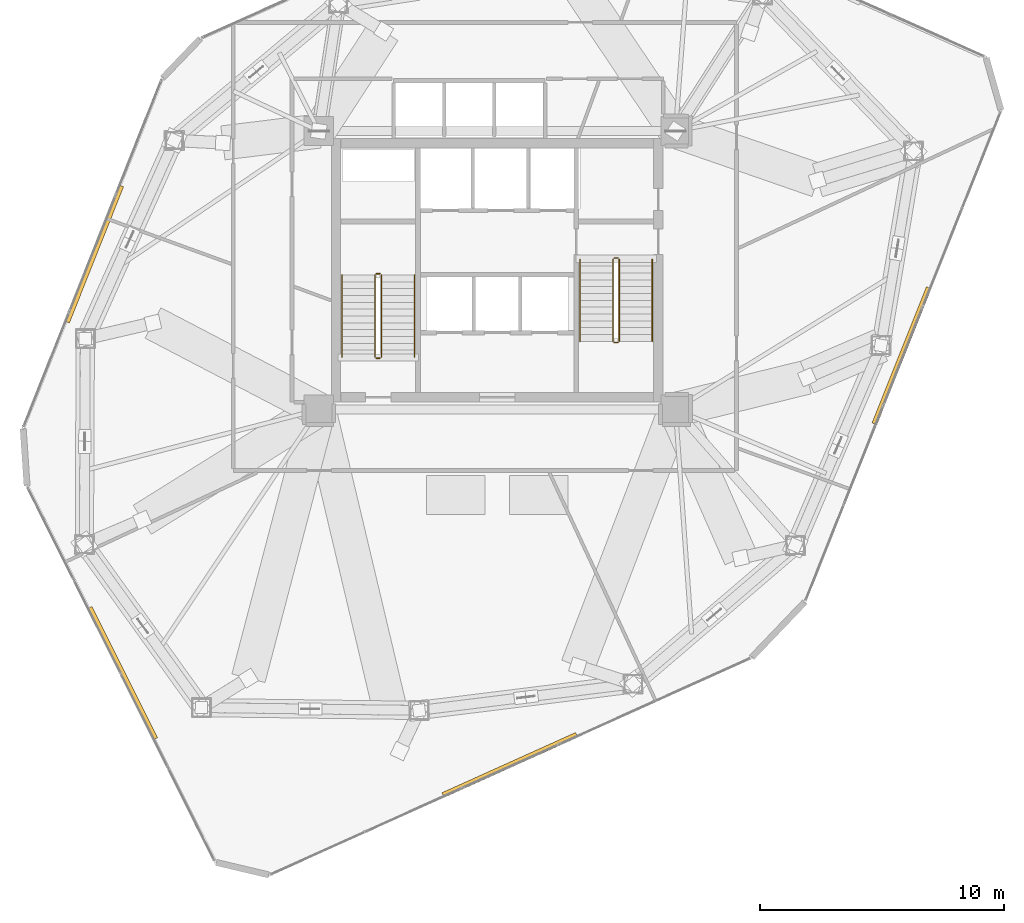
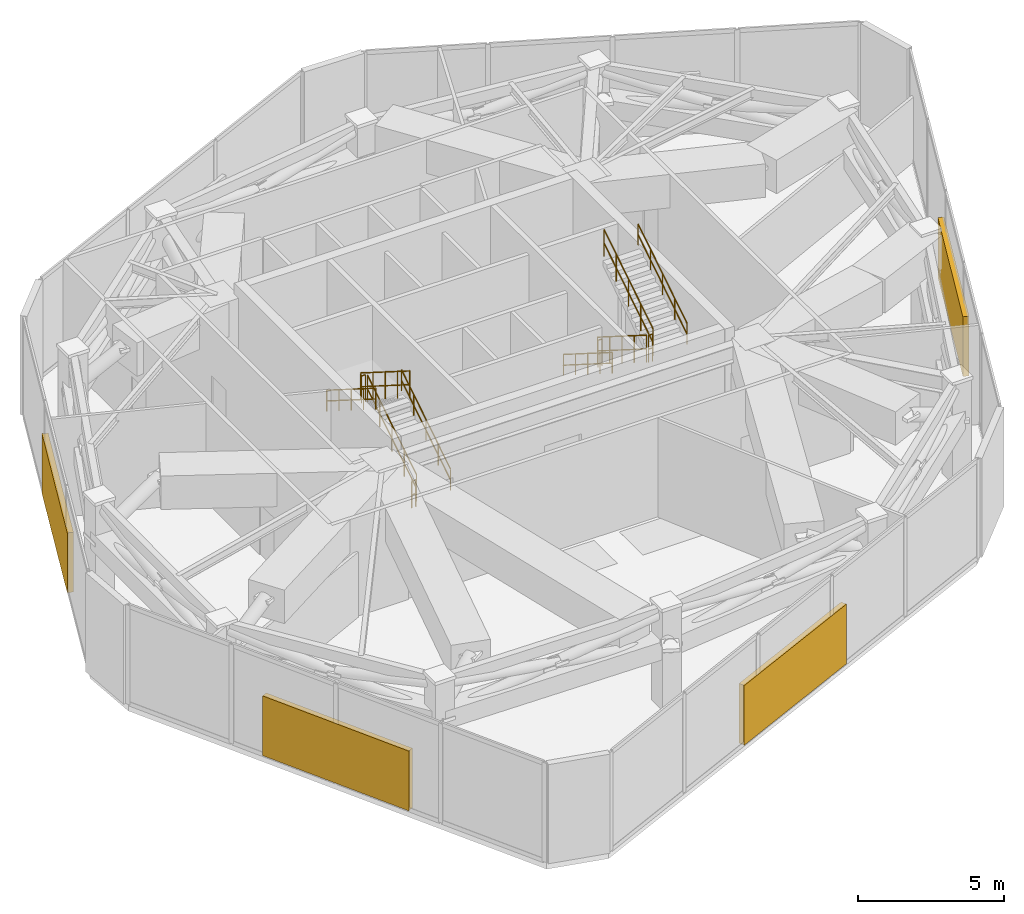
# One storey, part 20 of 21: 12 railings, 4 shading devices.
"""IFC4 building model written with IfcOpenShell, lengths in metres."""

from ifc_helpers import new_model, si_unit, direction, frame, origin, origin_2d, place, context, subcontext, project, spatial, rectangle, circle, extrude, source, transform, mapped, material, type_object, type_shapes, element, save


model = new_model("IFC4")

# Units and contexts
model_context = context("Model", 3, precision=1e-05, world=origin(), true_north=direction((0.0, 1.0)))
body_context = subcontext(model_context, "Body", "Model", "MODEL_VIEW")
ifc_project = project(units=[si_unit("LENGTHUNIT", "METRE"), si_unit("AREAUNIT", "SQUARE_METRE"), si_unit("VOLUMEUNIT", "CUBIC_METRE"), si_unit("PLANEANGLEUNIT", "RADIAN"), si_unit("MASSUNIT", "GRAM", prefix="KILO")], contexts=[model_context])

# Site, building, storey
site_placement = place(None, origin())
site = spatial("IfcSite", under=ifc_project, at=site_placement, CompositionType="ELEMENT")
building_placement = place(site_placement, origin())
building = spatial("IfcBuilding", under=site, at=building_placement, Name="Talar Marvaseh", CompositionType="ELEMENT")
storey_placement = place(building_placement, frame((0.0, 0.0, 162.39990234375)))
storey = spatial("IfcBuildingStorey", under=building, at=storey_placement, Name="L42", CompositionType="ELEMENT", Elevation=162.39990234375)

# Railings
ifc_material_1 = material(Name="Stainless Steel Grade 316", Category="steel")
railing_type_1 = type_object("IfcRailingType", Name="Brushed Stainless Wall Pitch Handrail 900", PredefinedType="HANDRAIL", material=ifc_material_1)
railing_1_placement = place(storey_placement, frame((22.610107421875, 27.64990234375, 0.177001953125)))
element("IfcRailing", 1, at=railing_1_placement, inside=storey, type_object=railing_type_1, Name="L42 ST-1 stair handrail 1", PredefinedType="HANDRAIL", context=body_context, shape_type="SweptSolid", body=[
    extrude(circle(Radius=0.02392578125, at=origin_2d()), frame((0.0, 0.0, 0.8759765625), z_axis=(0.0, 0.845389635667, 0.534150132366), x_axis=(-1.0, 0.0, 0.0)), (0.0, 0.0, 1.0), 3.974609375),
    extrude(circle(Radius=0.02392578125, at=origin_2d()), frame((0.0, 0.0, 0.42578125), z_axis=(0.0, 0.845389635667, 0.534150132366), x_axis=(-1.0, 0.0, 0.0)), (0.0, 0.0, 1.0), 3.974609375),
    extrude(circle(Radius=0.02099609375, at=origin_2d()), origin(), (0.0, 0.0, 1.0), 0.851806640625),
    extrude(circle(Radius=0.02099609375, at=origin_2d()), frame((0.0, 0.840087890625, 0.53076171875)), (0.0, 0.0, 1.0), 0.851806640625),
    extrude(circle(Radius=0.02099609375, at=origin_2d()), frame((0.0, 1.68017578125, 1.0615234375)), (0.0, 0.0, 1.0), 0.851806640625),
    extrude(circle(Radius=0.02099609375, at=origin_2d()), frame((0.0, 2.52001953125, 1.59228515625)), (0.0, 0.0, 1.0), 0.851806640625),
    extrude(circle(Radius=0.02099609375, at=origin_2d()), frame((0.0, 3.360107421875, 2.123046875)), (0.0, 0.0, 1.0), 0.851806640625),
])
railing_2_placement = place(storey_placement, frame((19.64990234375, 31.010009765625, 2.47705078125)))
element("IfcRailing", 2, at=railing_2_placement, inside=storey, type_object=railing_type_1, Name="L42 ST-1 stair handrail 2", PredefinedType="HANDRAIL", context=body_context, shape_type="SweptSolid", body=[
    extrude(circle(Radius=0.02392578125, at=origin_2d()), frame((0.0, 0.0, 0.8759765625), z_axis=(0.0, -0.845389635667, 0.534150132366), x_axis=(1.0, 0.0, 0.0)), (0.0, 0.0, 1.0), 3.974609375),
    extrude(circle(Radius=0.02392578125, at=origin_2d()), frame((0.0, 0.0, 0.42578125), z_axis=(0.0, -0.845389635667, 0.534150132366), x_axis=(1.0, 0.0, 0.0)), (0.0, 0.0, 1.0), 3.974609375),
    extrude(circle(Radius=0.02099609375, at=origin_2d()), origin(), (0.0, 0.0, 1.0), 0.851806640625),
    extrude(circle(Radius=0.02099609375, at=origin_2d()), frame((0.0, -0.840087890625, 0.53076171875)), (0.0, 0.0, 1.0), 0.851806640625),
    extrude(circle(Radius=0.02099609375, at=origin_2d()), frame((0.0, -1.68017578125, 1.0615234375)), (0.0, 0.0, 1.0), 0.851806640625),
    extrude(circle(Radius=0.02099609375, at=origin_2d()), frame((0.0, -2.52001953125, 1.59228515625)), (0.0, 0.0, 1.0), 0.851806640625),
    extrude(circle(Radius=0.02099609375, at=origin_2d()), frame((0.0, -3.360107421875, 2.123046875)), (0.0, 0.0, 1.0), 0.851806640625),
])
railing_3_placement = place(storey_placement, frame((29.389892578125, 31.64990234375, 0.177001953125)))
element("IfcRailing", 3, at=railing_3_placement, inside=storey, type_object=railing_type_1, Name="L42 ST-2 stair handrail 1", PredefinedType="HANDRAIL", context=body_context, shape_type="SweptSolid", body=[
    extrude(circle(Radius=0.02392578125, at=origin_2d()), frame((0.0, 0.0, 0.8759765625), z_axis=(0.0, -0.845372108799, 0.534177870812), x_axis=(1.0, 0.0, 0.0)), (0.0, 0.0, 1.0), 3.974365234375),
    extrude(circle(Radius=0.02392578125, at=origin_2d()), frame((0.0, 0.0, 0.42578125), z_axis=(0.0, -0.845372108799, 0.534177870812), x_axis=(1.0, 0.0, 0.0)), (0.0, 0.0, 1.0), 3.974365234375),
    extrude(circle(Radius=0.02099609375, at=origin_2d()), origin(), (0.0, 0.0, 1.0), 0.851806640625),
    extrude(circle(Radius=0.02099609375, at=origin_2d()), frame((0.0, -0.83984375, 0.53076171875)), (0.0, 0.0, 1.0), 0.851806640625),
    extrude(circle(Radius=0.02099609375, at=origin_2d()), frame((0.0, -1.679931640625, 1.0615234375)), (0.0, 0.0, 1.0), 0.851806640625),
    extrude(circle(Radius=0.02099609375, at=origin_2d()), frame((0.0, -2.52001953125, 1.59228515625)), (0.0, 0.0, 1.0), 0.851806640625),
    extrude(circle(Radius=0.02099609375, at=origin_2d()), frame((0.0, -3.35986328125, 2.123046875)), (0.0, 0.0, 1.0), 0.851806640625),
])
railing_4_placement = place(storey_placement, frame((32.35009765625, 28.2900390625, 2.47705078125)))
element("IfcRailing", 4, at=railing_4_placement, inside=storey, type_object=railing_type_1, Name="L42 ST-2 stair handrail 2", PredefinedType="HANDRAIL", context=body_context, shape_type="SweptSolid", body=[
    extrude(circle(Radius=0.02392578125, at=origin_2d()), frame((0.0, 0.0, 0.8759765625), z_axis=(0.0, 0.845372108799, 0.534177870812), x_axis=(-1.0, 0.0, 0.0)), (0.0, 0.0, 1.0), 3.974365234375),
    extrude(circle(Radius=0.02392578125, at=origin_2d()), frame((0.0, 0.0, 0.42578125), z_axis=(0.0, 0.845372108799, 0.534177870812), x_axis=(-1.0, 0.0, 0.0)), (0.0, 0.0, 1.0), 3.974365234375),
    extrude(circle(Radius=0.02099609375, at=origin_2d()), origin(), (0.0, 0.0, 1.0), 0.851806640625),
    extrude(circle(Radius=0.02099609375, at=origin_2d()), frame((0.0, 0.83984375, 0.53076171875)), (0.0, 0.0, 1.0), 0.851806640625),
    extrude(circle(Radius=0.02099609375, at=origin_2d()), frame((0.0, 1.679931640625, 1.0615234375)), (0.0, 0.0, 1.0), 0.851806640625),
    extrude(circle(Radius=0.02099609375, at=origin_2d()), frame((0.0, 2.52001953125, 1.59228515625)), (0.0, 0.0, 1.0), 0.851806640625),
    extrude(circle(Radius=0.02099609375, at=origin_2d()), frame((0.0, 3.35986328125, 2.123046875)), (0.0, 0.0, 1.0), 0.851806640625),
])
railing_type_2 = type_object("IfcRailingType", Name="Painted Steel Core Stair Well Guardrail 1150", PredefinedType="GUARDRAIL", material=ifc_material_1)
railing_5_placement = place(storey_placement, frame((21.260009765625, 27.64990234375, 0.177001953125)))
element("IfcRailing", 5, at=railing_5_placement, inside=storey, type_object=railing_type_2, Name="L42 ST-1 stair guard 1", PredefinedType="GUARDRAIL", context=body_context, shape_type="SweptSolid", body=[
    extrude(circle(Radius=0.02392578125, at=origin_2d()), frame((0.0, 0.0, 1.1259765625), z_axis=(0.0, 0.845389635667, 0.534150132366), x_axis=(-1.0, 0.0, 0.0)), (0.0, 0.0, 1.0), 3.974609375),
    extrude(circle(Radius=0.02392578125, at=origin_2d()), frame((0.0, 0.0, 0.55078125), z_axis=(0.0, 0.845389635667, 0.534150132366), x_axis=(-1.0, 0.0, 0.0)), (0.0, 0.0, 1.0), 3.974609375),
    extrude(circle(Radius=0.02099609375, at=origin_2d()), origin(), (0.0, 0.0, 1.0), 1.101806640625),
    extrude(circle(Radius=0.02099609375, at=origin_2d()), frame((0.0, 0.840087890625, 0.53076171875)), (0.0, 0.0, 1.0), 1.101806640625),
    extrude(circle(Radius=0.02099609375, at=origin_2d()), frame((0.0, 1.68017578125, 1.0615234375)), (0.0, 0.0, 1.0), 1.101806640625),
    extrude(circle(Radius=0.02099609375, at=origin_2d()), frame((0.0, 2.52001953125, 1.59228515625)), (0.0, 0.0, 1.0), 1.101806640625),
    extrude(circle(Radius=0.02099609375, at=origin_2d()), frame((0.0, 3.360107421875, 2.123046875)), (0.0, 0.0, 1.0), 1.101806640625),
])
railing_6_placement = place(storey_placement, frame((21.2099609375, 31.06005859375, 2.300048828125)))
element("IfcRailing", 6, at=railing_6_placement, inside=storey, type_object=railing_type_2, Name="L42 ST-1 stair guard 2", PredefinedType="GUARDRAIL", context=body_context, shape_type="SweptSolid", body=[
    extrude(circle(Radius=0.02392578125, at=origin_2d()), frame((0.0, 0.0, 1.1259765625), z_axis=(-1.0, 0.0, 0.0), x_axis=(0.0, -1.0, 0.0)), (0.0, 0.0, 1.0), 0.159912109375),
    extrude(circle(Radius=0.02392578125, at=origin_2d()), frame((0.0, 0.0, 0.55078125), z_axis=(-1.0, 0.0, 0.0), x_axis=(0.0, -1.0, 0.0)), (0.0, 0.0, 1.0), 0.159912109375),
    extrude(circle(Radius=0.02099609375, at=origin_2d()), origin(), (0.0, 0.0, 1.0), 1.101806640625),
    extrude(circle(Radius=0.02099609375, at=origin_2d()), frame((-0.159912109375, 0.0, 0.0)), (0.0, 0.0, 1.0), 1.101806640625),
])
railing_7_placement = place(storey_placement, frame((21.0, 31.010009765625, 2.47705078125)))
element("IfcRailing", 7, at=railing_7_placement, inside=storey, type_object=railing_type_2, Name="L42 ST-1 stair guard 3", PredefinedType="GUARDRAIL", context=body_context, shape_type="SweptSolid", body=[
    extrude(circle(Radius=0.02392578125, at=origin_2d()), frame((0.0, 0.0, 1.1259765625), z_axis=(0.0, -0.845389635667, 0.534150132366), x_axis=(1.0, 0.0, 0.0)), (0.0, 0.0, 1.0), 3.974609375),
    extrude(circle(Radius=0.02392578125, at=origin_2d()), frame((0.0, 0.0, 0.55078125), z_axis=(0.0, -0.845389635667, 0.534150132366), x_axis=(1.0, 0.0, 0.0)), (0.0, 0.0, 1.0), 3.974609375),
    extrude(circle(Radius=0.02099609375, at=origin_2d()), origin(), (0.0, 0.0, 1.0), 1.101806640625),
    extrude(circle(Radius=0.02099609375, at=origin_2d()), frame((0.0, -0.840087890625, 0.53076171875)), (0.0, 0.0, 1.0), 1.101806640625),
    extrude(circle(Radius=0.02099609375, at=origin_2d()), frame((0.0, -1.68017578125, 1.0615234375)), (0.0, 0.0, 1.0), 1.101806640625),
    extrude(circle(Radius=0.02099609375, at=origin_2d()), frame((0.0, -2.52001953125, 1.59228515625)), (0.0, 0.0, 1.0), 1.101806640625),
    extrude(circle(Radius=0.02099609375, at=origin_2d()), frame((0.0, -3.360107421875, 2.123046875)), (0.0, 0.0, 1.0), 1.101806640625),
])
railing_8_placement = place(storey_placement, frame((21.2099609375, 27.60009765625, 0.0)))
element("IfcRailing", 8, at=railing_8_placement, inside=storey, type_object=railing_type_2, Name="L42 ST-1 stair guard 4", PredefinedType="GUARDRAIL", context=body_context, shape_type="SweptSolid", body=[
    extrude(circle(Radius=0.02392578125, at=origin_2d()), frame((0.0, 0.0, 1.1259765625), z_axis=(-1.0, 0.0, 0.0), x_axis=(0.0, -1.0, 0.0)), (0.0, 0.0, 1.0), 0.159912109375),
    extrude(circle(Radius=0.02392578125, at=origin_2d()), frame((0.0, 0.0, 0.55078125), z_axis=(-1.0, 0.0, 0.0), x_axis=(0.0, -1.0, 0.0)), (0.0, 0.0, 1.0), 0.159912109375),
    extrude(circle(Radius=0.02099609375, at=origin_2d()), origin(), (0.0, 0.0, 1.0), 1.101806640625),
    extrude(circle(Radius=0.02099609375, at=origin_2d()), frame((-0.159912109375, 0.0, 0.0)), (0.0, 0.0, 1.0), 1.101806640625),
])
railing_9_placement = place(storey_placement, frame((30.739990234375, 31.64990234375, 0.177001953125)))
element("IfcRailing", 9, at=railing_9_placement, inside=storey, type_object=railing_type_2, Name="L42 ST-2 stair guard 1", PredefinedType="GUARDRAIL", context=body_context, shape_type="SweptSolid", body=[
    extrude(circle(Radius=0.02392578125, at=origin_2d()), frame((0.0, 0.0, 1.1259765625), z_axis=(0.0, -0.845372108799, 0.534177870812), x_axis=(1.0, 0.0, 0.0)), (0.0, 0.0, 1.0), 3.974365234375),
    extrude(circle(Radius=0.02392578125, at=origin_2d()), frame((0.0, 0.0, 0.55078125), z_axis=(0.0, -0.845372108799, 0.534177870812), x_axis=(1.0, 0.0, 0.0)), (0.0, 0.0, 1.0), 3.974365234375),
    extrude(circle(Radius=0.02099609375, at=origin_2d()), origin(), (0.0, 0.0, 1.0), 1.101806640625),
    extrude(circle(Radius=0.02099609375, at=origin_2d()), frame((0.0, -0.83984375, 0.53076171875)), (0.0, 0.0, 1.0), 1.101806640625),
    extrude(circle(Radius=0.02099609375, at=origin_2d()), frame((0.0, -1.679931640625, 1.0615234375)), (0.0, 0.0, 1.0), 1.101806640625),
    extrude(circle(Radius=0.02099609375, at=origin_2d()), frame((0.0, -2.52001953125, 1.59228515625)), (0.0, 0.0, 1.0), 1.101806640625),
    extrude(circle(Radius=0.02099609375, at=origin_2d()), frame((0.0, -3.35986328125, 2.123046875)), (0.0, 0.0, 1.0), 1.101806640625),
])
railing_10_placement = place(storey_placement, frame((30.7900390625, 28.239990234375, 2.300048828125)))
element("IfcRailing", 10, at=railing_10_placement, inside=storey, type_object=railing_type_2, Name="L42 ST-2 stair guard 2", PredefinedType="GUARDRAIL", context=body_context, shape_type="SweptSolid", body=[
    extrude(circle(Radius=0.02392578125, at=origin_2d()), frame((0.0, 0.0, 1.1259765625), z_axis=(1.0, 0.0, 0.0), x_axis=(0.0, 1.0, 0.0)), (0.0, 0.0, 1.0), 0.159912109375),
    extrude(circle(Radius=0.02392578125, at=origin_2d()), frame((0.0, 0.0, 0.55078125), z_axis=(1.0, 0.0, 0.0), x_axis=(0.0, 1.0, 0.0)), (0.0, 0.0, 1.0), 0.159912109375),
    extrude(circle(Radius=0.02099609375, at=origin_2d()), origin(), (0.0, 0.0, 1.0), 1.101806640625),
    extrude(circle(Radius=0.02099609375, at=origin_2d()), frame((0.159912109375, 0.0, 0.0)), (0.0, 0.0, 1.0), 1.101806640625),
])
railing_11_placement = place(storey_placement, frame((31.0, 28.2900390625, 2.47705078125)))
element("IfcRailing", 11, at=railing_11_placement, inside=storey, type_object=railing_type_2, Name="L42 ST-2 stair guard 3", PredefinedType="GUARDRAIL", context=body_context, shape_type="SweptSolid", body=[
    extrude(circle(Radius=0.02392578125, at=origin_2d()), frame((0.0, 0.0, 1.1259765625), z_axis=(0.0, 0.845372108799, 0.534177870812), x_axis=(-1.0, 0.0, 0.0)), (0.0, 0.0, 1.0), 3.974365234375),
    extrude(circle(Radius=0.02392578125, at=origin_2d()), frame((0.0, 0.0, 0.55078125), z_axis=(0.0, 0.845372108799, 0.534177870812), x_axis=(-1.0, 0.0, 0.0)), (0.0, 0.0, 1.0), 3.974365234375),
    extrude(circle(Radius=0.02099609375, at=origin_2d()), origin(), (0.0, 0.0, 1.0), 1.101806640625),
    extrude(circle(Radius=0.02099609375, at=origin_2d()), frame((0.0, 0.83984375, 0.53076171875)), (0.0, 0.0, 1.0), 1.101806640625),
    extrude(circle(Radius=0.02099609375, at=origin_2d()), frame((0.0, 1.679931640625, 1.0615234375)), (0.0, 0.0, 1.0), 1.101806640625),
    extrude(circle(Radius=0.02099609375, at=origin_2d()), frame((0.0, 2.52001953125, 1.59228515625)), (0.0, 0.0, 1.0), 1.101806640625),
    extrude(circle(Radius=0.02099609375, at=origin_2d()), frame((0.0, 3.35986328125, 2.123046875)), (0.0, 0.0, 1.0), 1.101806640625),
])
railing_12_placement = place(storey_placement, frame((30.7900390625, 31.699951171875, 0.0)))
element("IfcRailing", 12, at=railing_12_placement, inside=storey, type_object=railing_type_2, Name="L42 ST-2 stair guard 4", PredefinedType="GUARDRAIL", context=body_context, shape_type="SweptSolid", body=[
    extrude(circle(Radius=0.02392578125, at=origin_2d()), frame((0.0, 0.0, 1.1259765625), z_axis=(1.0, 0.0, 0.0), x_axis=(0.0, 1.0, 0.0)), (0.0, 0.0, 1.0), 0.159912109375),
    extrude(circle(Radius=0.02392578125, at=origin_2d()), frame((0.0, 0.0, 0.55078125), z_axis=(1.0, 0.0, 0.0), x_axis=(0.0, 1.0, 0.0)), (0.0, 0.0, 1.0), 0.159912109375),
    extrude(circle(Radius=0.02099609375, at=origin_2d()), origin(), (0.0, 0.0, 1.0), 1.101806640625),
    extrude(circle(Radius=0.02099609375, at=origin_2d()), frame((0.159912109375, 0.0, 0.0)), (0.0, 0.0, 1.0), 1.101806640625),
])

# Shading devices
ifc_material_2 = material(Name="Anodised Champagne Bronze Aluminium", Category="aluminium")
shading_device_type = type_object("IfcShadingDeviceType", Name="Acoustic Weatherproof Plant Louvre Bank", PredefinedType="USERDEFINED", material=ifc_material_2)
shared_shape = source(origin(), body_context, "Body", "SweptSolid", [
    extrude(rectangle(XDim=6.0, YDim=0.219970703125, at=origin_2d()), origin(), (0.0, 0.0, 1.0), 2.5),
])
type_shapes(shading_device_type, [shared_shape])
for number, where, z_axis, x_axis, name in (
    (13, (10.6591796875, 14.700927734375, 0.0), (0.0, 0.0, 1.0), (-0.447759087839, 0.894154236839, 0.0), "L42 Acoustic Plant Louvre Screen"),
    (14, (9.495849609375, 31.873291015625, 0.0), (0.0, 0.0, 1.0), (0.369422406303, 0.929261580892, 0.0), "L42 Acoustic Plant Louvre Screen"),
    (15, (42.562255859375, 27.70361328125, 0.0), (0.0, 0.0, 1.0), (-0.370719539713, -0.928744864252, 0.0), "L42 Acoustic Plant Louvre Screen"),
    (16, (26.51904296875, 10.944580078125, 0.0), (0.0, 0.0, 1.0), (-0.911690345728, -0.410877978854, 0.0), "L42 Acoustic Plant Louvre Screen"),
):
    element("IfcShadingDevice", number, at=place(storey_placement, frame(where, z_axis=z_axis, x_axis=x_axis)), inside=storey, type_object=shading_device_type, Name=name, ObjectType="LOUVRE", PredefinedType="USERDEFINED", context=body_context, shape_type="MappedRepresentation", body=[
        mapped(shared_shape, transform((0.0, 0.0, 0.0), x_axis=(1.0, 0.0, 0.0), y_axis=(0.0, 1.0, 0.0), z_axis=(0.0, 0.0, 1.0), scale=1.0)),
    ])

save(model, "model.ifc")
